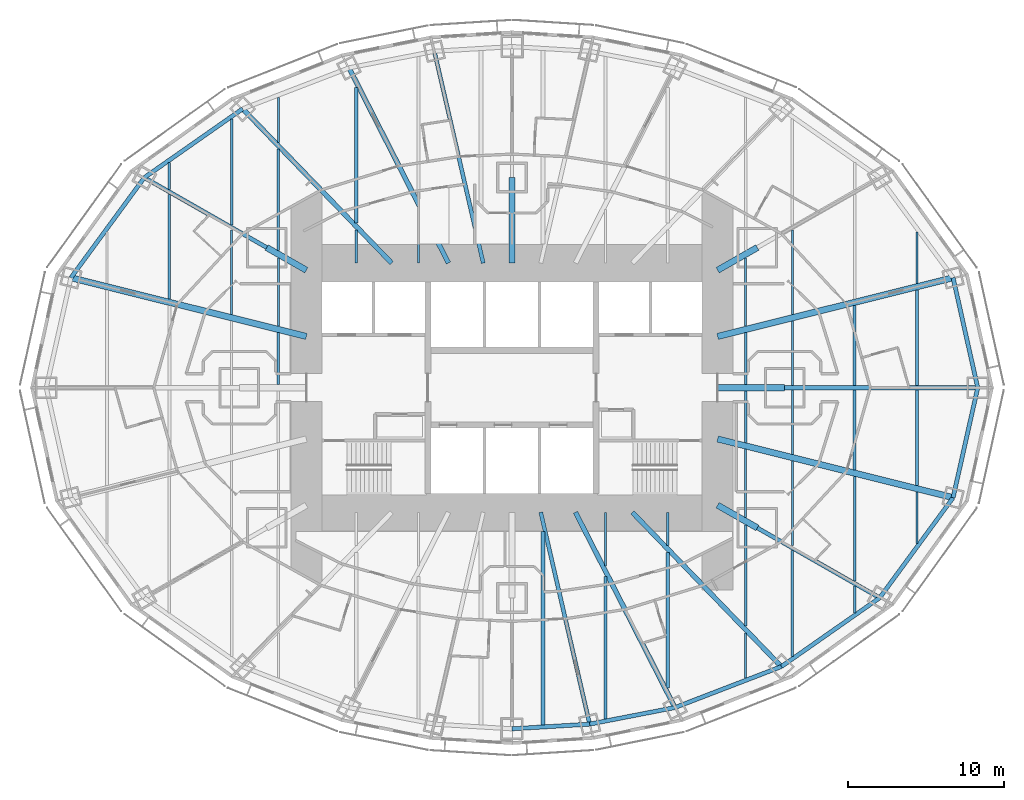
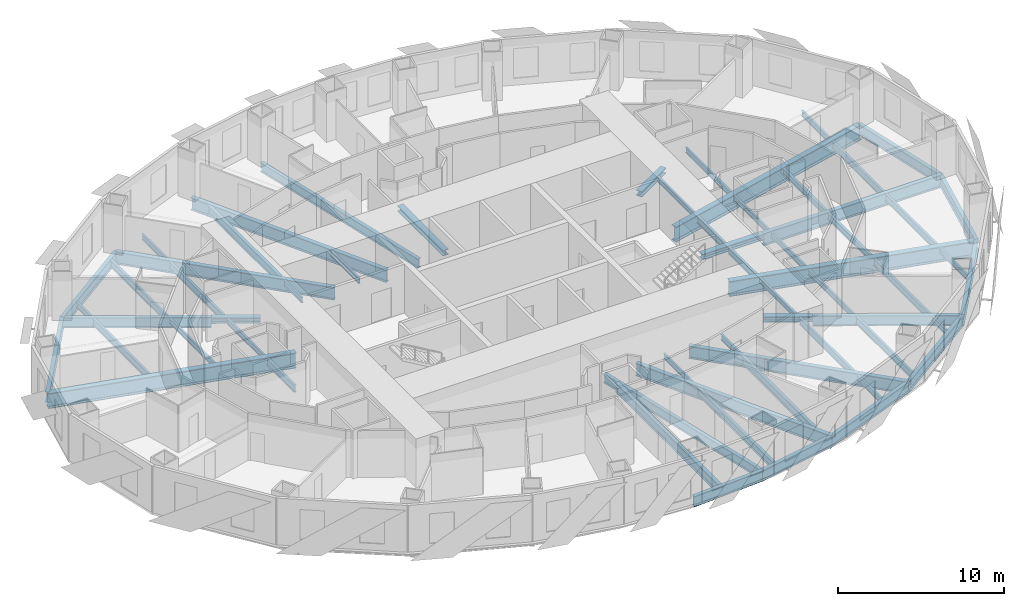
# One storey, part 2 of 15: 61 beams.
"""IFC4 building model written with IfcOpenShell, lengths in metres."""

from ifc_helpers import new_model, si_unit, direction, frame, origin, origin_2d, place, context, subcontext, project, spatial, i_section, extrude, material, material_profile, profile_set, type_object, element, save


model = new_model("IFC4")

# Units and contexts
model_context = context("Model", 3, precision=1e-05, world=origin(), true_north=direction((0.0, 1.0)))
body_context = subcontext(model_context, "Body", "Model", "MODEL_VIEW")
ifc_project = project(units=[si_unit("LENGTHUNIT", "METRE"), si_unit("AREAUNIT", "SQUARE_METRE"), si_unit("VOLUMEUNIT", "CUBIC_METRE"), si_unit("PLANEANGLEUNIT", "RADIAN"), si_unit("MASSUNIT", "GRAM", prefix="KILO")], contexts=[model_context])

# Site, building, storey
site_placement = place(None, origin())
site = spatial("IfcSite", under=ifc_project, at=site_placement, CompositionType="ELEMENT")
building_placement = place(site_placement, origin())
building = spatial("IfcBuilding", under=site, at=building_placement, Name="Lantaw Convention Tower", CompositionType="ELEMENT")
storey_placement = place(building_placement, frame((0.0, 0.0, 98.199951171875)))
storey = spatial("IfcBuildingStorey", under=building, at=storey_placement, Name="L23", CompositionType="ELEMENT", Elevation=98.199951171875)

# Beams
ifc_material = material(Name="Steel ASTM A992", Category="steel")
ifc_material_profile_1 = material_profile(ifc_material, i_section(OverallWidth=0.2666015625, OverallDepth=0.76953125, WebThickness=0.015625, FlangeThickness=0.025390625, FilletRadius=0.0126953125, at=origin_2d()), Name="W30X132")
ifc_profile_set_1 = profile_set([ifc_material_profile_1], Name="Steel ASTM A992")
beam_type_1 = type_object("IfcBeamType", Name="Beam E W30X132", PredefinedType="SPANDREL", material=ifc_profile_set_1)
beam_1_placement = place(storey_placement, frame((29.89990234375, 0.0, -0.53466796875), z_axis=(-0.218652184873, 0.975802860239, 0.0), x_axis=(-0.975802860239, -0.218652184873, 0.0)))
element("IfcBeam", 1, at=beam_1_placement, inside=storey, type_object=beam_type_1, Name="Edge beam 1", PredefinedType="SPANDREL", context=body_context, shape_type="SweptSolid", body=[
    extrude(i_section(OverallWidth=0.2666015625, OverallDepth=0.76953125, WebThickness=0.015625, FlangeThickness=0.025390625, FilletRadius=0.0126953125, at=origin_2d()), origin(), (0.0, 0.0, 1.0), 7.2353515625),
])
beam_2_placement = place(storey_placement, frame((-17.290771484375, 17.9052734375, -0.53466796875), z_axis=(-0.81942686407, -0.57318375277, 0.0), x_axis=(0.57318375277, -0.81942686407, 0.0)))
element("IfcBeam", 2, at=beam_2_placement, inside=storey, type_object=beam_type_1, Name="Edge beam 10", PredefinedType="SPANDREL", context=body_context, shape_type="SweptSolid", body=[
    extrude(i_section(OverallWidth=0.2666015625, OverallDepth=0.76953125, WebThickness=0.015625, FlangeThickness=0.025390625, FilletRadius=0.0126953125, at=origin_2d()), origin(), (0.0, 0.0, 1.0), 7.70556640625),
])
beam_3_placement = place(storey_placement, frame((-23.60498046875, 13.488525390625, -0.53466796875), z_axis=(-0.591270709086, -0.806473154281, 0.0), x_axis=(0.806473154281, -0.591270709086, 0.0)))
element("IfcBeam", 3, at=beam_3_placement, inside=storey, type_object=beam_type_1, Name="Edge beam 11", PredefinedType="SPANDREL", context=body_context, shape_type="SweptSolid", body=[
    extrude(i_section(OverallWidth=0.2666015625, OverallDepth=0.76953125, WebThickness=0.015625, FlangeThickness=0.025390625, FilletRadius=0.0126953125, at=origin_2d()), origin(), (0.0, 0.0, 1.0), 7.970703125),
])
beam_4_placement = place(storey_placement, frame((0.0, -21.89990234375, -0.53466796875), z_axis=(0.998173858406, 0.060406526096, 0.0), x_axis=(-0.060406526096, 0.998173858406, 0.0)))
element("IfcBeam", 4, at=beam_4_placement, inside=storey, type_object=beam_type_1, Name="Edge beam 19", PredefinedType="SPANDREL", context=body_context, shape_type="SweptSolid", body=[
    extrude(i_section(OverallWidth=0.2666015625, OverallDepth=0.76953125, WebThickness=0.015625, FlangeThickness=0.025390625, FilletRadius=0.0126953125, at=origin_2d()), origin(), (0.0, 0.0, 1.0), 4.995361328125),
])
beam_5_placement = place(storey_placement, frame((4.986328125, -21.59814453125, -0.53466796875), z_axis=(0.981636565323, 0.190760723474, 0.0), x_axis=(-0.190760723474, 0.981636565323, 0.0)))
element("IfcBeam", 5, at=beam_5_placement, inside=storey, type_object=beam_type_1, Name="Edge beam 20", PredefinedType="SPANDREL", context=body_context, shape_type="SweptSolid", body=[
    extrude(i_section(OverallWidth=0.2666015625, OverallDepth=0.76953125, WebThickness=0.015625, FlangeThickness=0.025390625, FilletRadius=0.0126953125, at=origin_2d()), origin(), (0.0, 0.0, 1.0), 5.578857421875),
])
beam_6_placement = place(storey_placement, frame((10.462646484375, -20.533935546875, -0.53466796875), z_axis=(0.933232900641, 0.359271976588, 0.0), x_axis=(-0.359271976588, 0.933232900641, 0.0)))
element("IfcBeam", 6, at=beam_6_placement, inside=storey, type_object=beam_type_1, Name="Edge beam 21", PredefinedType="SPANDREL", context=body_context, shape_type="SweptSolid", body=[
    extrude(i_section(OverallWidth=0.2666015625, OverallDepth=0.76953125, WebThickness=0.015625, FlangeThickness=0.025390625, FilletRadius=0.0126953125, at=origin_2d()), origin(), (0.0, 0.0, 1.0), 7.316650390625),
])
beam_7_placement = place(storey_placement, frame((17.290771484375, -17.9052734375, -0.53466796875), z_axis=(0.81942686407, 0.57318375277, 0.0), x_axis=(-0.57318375277, 0.81942686407, 0.0)))
element("IfcBeam", 7, at=beam_7_placement, inside=storey, type_object=beam_type_1, Name="Edge beam 22", PredefinedType="SPANDREL", context=body_context, shape_type="SweptSolid", body=[
    extrude(i_section(OverallWidth=0.2666015625, OverallDepth=0.76953125, WebThickness=0.015625, FlangeThickness=0.025390625, FilletRadius=0.0126953125, at=origin_2d()), origin(), (0.0, 0.0, 1.0), 7.70556640625),
])
beam_8_placement = place(storey_placement, frame((23.60498046875, -13.488525390625, -0.53466796875), z_axis=(0.591270709086, 0.806473154281, 0.0), x_axis=(-0.806473154281, 0.591270709086, 0.0)))
element("IfcBeam", 8, at=beam_8_placement, inside=storey, type_object=beam_type_1, Name="Edge beam 23", PredefinedType="SPANDREL", context=body_context, shape_type="SweptSolid", body=[
    extrude(i_section(OverallWidth=0.2666015625, OverallDepth=0.76953125, WebThickness=0.015625, FlangeThickness=0.025390625, FilletRadius=0.0126953125, at=origin_2d()), origin(), (0.0, 0.0, 1.0), 7.970703125),
])
beam_9_placement = place(storey_placement, frame((28.31787109375, -7.060302734375, -0.53466796875), z_axis=(0.218652184873, 0.975802860239, 0.0), x_axis=(-0.975802860239, 0.218652184873, 0.0)))
element("IfcBeam", 9, at=beam_9_placement, inside=storey, type_object=beam_type_1, Name="Edge beam 24", PredefinedType="SPANDREL", context=body_context, shape_type="SweptSolid", body=[
    extrude(i_section(OverallWidth=0.2666015625, OverallDepth=0.76953125, WebThickness=0.015625, FlangeThickness=0.025390625, FilletRadius=0.0126953125, at=origin_2d()), origin(), (0.0, 0.0, 1.0), 7.2353515625),
])
ifc_material_profile_2 = material_profile(ifc_material, i_section(OverallWidth=0.25390625, OverallDepth=0.683349609375, WebThickness=0.012451171875, FlangeThickness=0.01904296875, FilletRadius=0.01513671875, at=origin_2d()), Name="W27X94")
ifc_profile_set_2 = profile_set([ifc_material_profile_2], Name="Steel ASTM A992")
beam_type_2 = type_object("IfcBeamType", Name="Beam G W27X94", PredefinedType="BEAM", material=ifc_profile_set_2)
for number, where, z_axis, x_axis, name in (
    (10, (-1.846923828125, 8.0, -0.49169921875), (-0.224952773175, 0.97436966796, 0.0), (-0.97436966796, -0.224952773175, 0.0), "Floor girder on ray 8"),
    (11, (1.846923828125, -8.0, -0.49169921875), (0.224952773175, -0.97436966796, 0.0), (0.97436966796, 0.224952773175, 0.0), "Floor girder on ray 20"),
):
    element("IfcBeam", number, at=place(storey_placement, frame(where, z_axis=z_axis, x_axis=x_axis)), inside=storey, type_object=beam_type_2, Name=name, PredefinedType="BEAM", context=body_context, shape_type="SweptSolid", body=[
        extrude(i_section(OverallWidth=0.25390625, OverallDepth=0.683349609375, WebThickness=0.012451171875, FlangeThickness=0.01904296875, FilletRadius=0.01513671875, at=origin_2d()), origin(), (0.0, 0.0, 1.0), 13.955810546875),
    ])
ifc_material_profile_3 = material_profile(ifc_material, i_section(OverallWidth=0.2666015625, OverallDepth=0.7568359375, WebThickness=0.013916015625, FlangeThickness=0.019287109375, FilletRadius=0.0126953125, at=origin_2d()), Name="W30X108")
ifc_profile_set_3 = profile_set([ifc_material_profile_3], Name="Steel ASTM A992")
beam_type_3 = type_object("IfcBeamType", Name="Beam G W30X108", PredefinedType="BEAM", material=ifc_profile_set_3)
for number, where, z_axis, x_axis, name in (
    (12, (-15.75, 9.0, -0.5283203125), (-0.868244802791, 0.496136032179, 0.0), (-0.496136032179, -0.868244802791, 0.0), "Floor girder on ray 11"),
    (13, (15.75, -9.0, -0.5283203125), (0.868244802791, -0.496136032179, 0.0), (0.496136032179, 0.868244802791, 0.0), "Floor girder on ray 23"),
):
    element("IfcBeam", number, at=place(storey_placement, frame(where, z_axis=z_axis, x_axis=x_axis)), inside=storey, type_object=beam_type_3, Name=name, PredefinedType="BEAM", context=body_context, shape_type="SweptSolid", body=[
        extrude(i_section(OverallWidth=0.2666015625, OverallDepth=0.7568359375, WebThickness=0.013916015625, FlangeThickness=0.019287109375, FilletRadius=0.0126953125, at=origin_2d()), origin(), (0.0, 0.0, 1.0), 9.046875),
    ])
ifc_material_profile_4 = material_profile(ifc_material, i_section(OverallWidth=0.307373046875, OverallDepth=0.922119140625, WebThickness=0.018310546875, FlangeThickness=0.030029296875, FilletRadius=0.0126953125, at=origin_2d()), Name="W36X182")
ifc_profile_set_4 = profile_set([ifc_material_profile_4], Name="Steel ASTM A992")
beam_type_4 = type_object("IfcBeamType", Name="Beam G W36X182", PredefinedType="BEAM", material=ifc_profile_set_4)
beam_10_placement = place(storey_placement, frame((17.5, 0.0, -0.61083984375), z_axis=(1.0, 0.0, 0.0), x_axis=(0.0, 1.0, 0.0)))
element("IfcBeam", 14, at=beam_10_placement, inside=storey, type_object=beam_type_4, Name="Floor girder on ray 1", PredefinedType="BEAM", context=body_context, shape_type="SweptSolid", body=[
    extrude(i_section(OverallWidth=0.307373046875, OverallDepth=0.922119140625, WebThickness=0.018310546875, FlangeThickness=0.030029296875, FilletRadius=0.0126953125, at=origin_2d()), origin(), (0.0, 0.0, 1.0), 12.39990234375),
])
beam_11_placement = place(storey_placement, frame((-4.076171875, 8.0, -0.61083984375), z_axis=(-0.453997016122, 0.891003203896, 0.0), x_axis=(-0.891003203896, -0.453997016122, 0.0)))
element("IfcBeam", 15, at=beam_11_placement, inside=storey, type_object=beam_type_4, Name="Floor girder on ray 9", PredefinedType="BEAM", context=body_context, shape_type="SweptSolid", body=[
    extrude(i_section(OverallWidth=0.307373046875, OverallDepth=0.922119140625, WebThickness=0.018310546875, FlangeThickness=0.030029296875, FilletRadius=0.0126953125, at=origin_2d()), origin(), (0.0, 0.0, 1.0), 14.067138671875),
])
beam_12_placement = place(storey_placement, frame((-7.7255859375, 8.0, -0.61083984375), z_axis=(-0.694649884291, 0.719347995239, 0.0), x_axis=(-0.719347995239, -0.694649884291, 0.0)))
element("IfcBeam", 16, at=beam_12_placement, inside=storey, type_object=beam_type_4, Name="Floor girder on ray 10", PredefinedType="BEAM", context=body_context, shape_type="SweptSolid", body=[
    extrude(i_section(OverallWidth=0.307373046875, OverallDepth=0.922119140625, WebThickness=0.018310546875, FlangeThickness=0.030029296875, FilletRadius=0.0126953125, at=origin_2d()), origin(), (0.0, 0.0, 1.0), 13.769775390625),
])
beam_13_placement = place(storey_placement, frame((4.076171875, -8.0, -0.61083984375), z_axis=(0.453997016122, -0.891003203896, 0.0), x_axis=(0.891003203896, 0.453997016122, 0.0)))
element("IfcBeam", 17, at=beam_13_placement, inside=storey, type_object=beam_type_4, Name="Floor girder on ray 21", PredefinedType="BEAM", context=body_context, shape_type="SweptSolid", body=[
    extrude(i_section(OverallWidth=0.307373046875, OverallDepth=0.922119140625, WebThickness=0.018310546875, FlangeThickness=0.030029296875, FilletRadius=0.0126953125, at=origin_2d()), origin(), (0.0, 0.0, 1.0), 14.067138671875),
])
beam_14_placement = place(storey_placement, frame((7.7255859375, -8.0, -0.61083984375), z_axis=(0.694649884291, -0.719347995239, 0.0), x_axis=(0.719347995239, 0.694649884291, 0.0)))
element("IfcBeam", 18, at=beam_14_placement, inside=storey, type_object=beam_type_4, Name="Floor girder on ray 22", PredefinedType="BEAM", context=body_context, shape_type="SweptSolid", body=[
    extrude(i_section(OverallWidth=0.307373046875, OverallDepth=0.922119140625, WebThickness=0.018310546875, FlangeThickness=0.030029296875, FilletRadius=0.0126953125, at=origin_2d()), origin(), (0.0, 0.0, 1.0), 13.769775390625),
])
ifc_material_profile_5 = material_profile(ifc_material, i_section(OverallWidth=0.40380859375, OverallDepth=1.11767578125, WebThickness=0.026123046875, FlangeThickness=0.044921875, FilletRadius=0.02001953125, at=origin_2d()), Name="W44X335")
ifc_profile_set_5 = profile_set([ifc_material_profile_5], Name="Steel ASTM A992")
beam_type_5 = type_object("IfcBeamType", Name="Beam G W44X335", PredefinedType="BEAM", material=ifc_profile_set_5)
for number, where, z_axis, x_axis, name in (
    (19, (13.199951171875, 3.291015625, -0.708740234375), (0.970296233567, 0.241919860957, 0.0), (-0.241919860957, 0.970296233567, 0.0), "Floor girder on ray 2"),
    (20, (-13.199951171875, 3.291015625, -0.708740234375), (-0.970296233567, 0.241919860957, 0.0), (-0.241919860957, -0.970296233567, 0.0), "Floor girder on ray 12"),
    (21, (13.199951171875, -3.291015625, -0.708740234375), (0.970296233567, -0.241919860957, 0.0), (0.241919860957, 0.970296233567, 0.0), "Floor girder on ray 24"),
):
    element("IfcBeam", number, at=place(storey_placement, frame(where, z_axis=z_axis, x_axis=x_axis)), inside=storey, type_object=beam_type_5, Name=name, PredefinedType="BEAM", context=body_context, shape_type="SweptSolid", body=[
        extrude(i_section(OverallWidth=0.40380859375, OverallDepth=1.11767578125, WebThickness=0.026123046875, FlangeThickness=0.044921875, FilletRadius=0.02001953125, at=origin_2d()), origin(), (0.0, 0.0, 1.0), 15.580810546875),
    ])
ifc_material_profile_6 = material_profile(ifc_material, i_section(OverallWidth=0.40380859375, OverallDepth=0.406494140625, WebThickness=0.027099609375, FlangeThickness=0.043701171875, FilletRadius=0.01513671875, at=origin_2d()), Name="W14X233")
ifc_profile_set_6 = profile_set([ifc_material_profile_6], Name="Steel ASTM A992")
beam_type_6 = type_object("IfcBeamType", Name="Beam GM W14X233", PredefinedType="BEAM", material=ifc_profile_set_6)
beam_15_placement = place(storey_placement, frame((13.199951171875, 0.0, -0.353271484375), z_axis=(1.0, 0.0, 0.0), x_axis=(0.0, 1.0, 0.0)))
element("IfcBeam", 22, at=beam_15_placement, inside=storey, type_object=beam_type_6, Name="Core link beam on ray 1", PredefinedType="BEAM", context=body_context, shape_type="SweptSolid", body=[
    extrude(i_section(OverallWidth=0.40380859375, OverallDepth=0.406494140625, WebThickness=0.027099609375, FlangeThickness=0.043701171875, FilletRadius=0.01513671875, at=origin_2d()), origin(), (0.0, 0.0, 1.0), 4.300048828125),
])
beam_16_placement = place(storey_placement, frame((13.199951171875, 7.54296875, -0.353271484375), z_axis=(0.868263603466, 0.496103129295, 0.0), x_axis=(-0.496103129295, 0.868263603466, 0.0)))
element("IfcBeam", 23, at=beam_16_placement, inside=storey, type_object=beam_type_6, Name="Core link beam on ray 3", PredefinedType="BEAM", context=body_context, shape_type="SweptSolid", body=[
    extrude(i_section(OverallWidth=0.40380859375, OverallDepth=0.406494140625, WebThickness=0.027099609375, FlangeThickness=0.043701171875, FilletRadius=0.01513671875, at=origin_2d()), origin(), (0.0, 0.0, 1.0), 2.93701171875),
])
beam_17_placement = place(storey_placement, frame((0.0, 8.0, -0.353271484375), z_axis=(0.0, 1.0, 0.0), x_axis=(-1.0, 0.0, 0.0)))
element("IfcBeam", 24, at=beam_17_placement, inside=storey, type_object=beam_type_6, Name="Core link beam on ray 7", PredefinedType="BEAM", context=body_context, shape_type="SweptSolid", body=[
    extrude(i_section(OverallWidth=0.40380859375, OverallDepth=0.406494140625, WebThickness=0.027099609375, FlangeThickness=0.043701171875, FilletRadius=0.01513671875, at=origin_2d()), origin(), (0.0, 0.0, 1.0), 5.5),
])
for number, where, z_axis, x_axis, name in (
    (25, (-13.199951171875, 7.54296875, -0.353271484375), (-0.868263603466, 0.496103129295, 0.0), (-0.496103129295, -0.868263603466, 0.0), "Core link beam on ray 11"),
    (26, (13.199951171875, -7.54296875, -0.353271484375), (0.868263603466, -0.496103129295, 0.0), (0.496103129295, 0.868263603466, 0.0), "Core link beam on ray 23"),
):
    element("IfcBeam", number, at=place(storey_placement, frame(where, z_axis=z_axis, x_axis=x_axis)), inside=storey, type_object=beam_type_6, Name=name, PredefinedType="BEAM", context=body_context, shape_type="SweptSolid", body=[
        extrude(i_section(OverallWidth=0.40380859375, OverallDepth=0.406494140625, WebThickness=0.027099609375, FlangeThickness=0.043701171875, FilletRadius=0.01513671875, at=origin_2d()), origin(), (0.0, 0.0, 1.0), 2.93701171875),
    ])
ifc_material_profile_7 = material_profile(ifc_material, i_section(OverallWidth=0.140380859375, OverallDepth=0.40380859375, WebThickness=0.007080078125, FlangeThickness=0.01123046875, FilletRadius=0.01025390625, at=origin_2d()), Name="W16X31")
ifc_profile_set_7 = profile_set([ifc_material_profile_7], Name="Steel ASTM A992")
beam_type_7 = type_object("IfcBeamType", Name="Beam J W16X31", PredefinedType="JOIST", material=ifc_profile_set_7)
beam_18_placement = place(storey_placement, frame((-22.0, 12.72509765625, -0.351806640625), z_axis=(0.0, 1.0, 0.0), x_axis=(-1.0, 0.0, 0.0)))
element("IfcBeam", 27, at=beam_18_placement, inside=storey, type_object=beam_type_7, Name="Floor joist", PredefinedType="JOIST", context=body_context, shape_type="SweptSolid", body=[
    extrude(i_section(OverallWidth=0.140380859375, OverallDepth=0.40380859375, WebThickness=0.007080078125, FlangeThickness=0.01123046875, FilletRadius=0.01025390625, at=origin_2d()), origin(), (0.0, 0.0, 1.0), 1.723388671875),
])
beam_19_placement = place(storey_placement, frame((-18.0, 4.696044921875, -0.351806640625), z_axis=(0.0, 1.0, 0.0), x_axis=(-1.0, 0.0, 0.0)))
element("IfcBeam", 28, at=beam_19_placement, inside=storey, type_object=beam_type_7, Name="Floor joist", PredefinedType="JOIST", context=body_context, shape_type="SweptSolid", body=[
    extrude(i_section(OverallWidth=0.140380859375, OverallDepth=0.40380859375, WebThickness=0.007080078125, FlangeThickness=0.01123046875, FilletRadius=0.01025390625, at=origin_2d()), origin(), (0.0, 0.0, 1.0), 5.43603515625),
])
beam_20_placement = place(storey_placement, frame((-15.0, 3.947998046875, -0.351806640625), z_axis=(0.0, 1.0, 0.0), x_axis=(-1.0, 0.0, 0.0)))
element("IfcBeam", 29, at=beam_20_placement, inside=storey, type_object=beam_type_7, Name="Floor joist", PredefinedType="JOIST", context=body_context, shape_type="SweptSolid", body=[
    extrude(i_section(OverallWidth=0.140380859375, OverallDepth=0.40380859375, WebThickness=0.007080078125, FlangeThickness=0.01123046875, FilletRadius=0.01025390625, at=origin_2d()), origin(), (0.0, 0.0, 1.0), 4.390869140625),
])
beam_21_placement = place(storey_placement, frame((-15.0, 15.754150390625, -0.351806640625), z_axis=(0.0, 1.0, 0.0), x_axis=(-1.0, 0.0, 0.0)))
element("IfcBeam", 30, at=beam_21_placement, inside=storey, type_object=beam_type_7, Name="Floor joist", PredefinedType="JOIST", context=body_context, shape_type="SweptSolid", body=[
    extrude(i_section(OverallWidth=0.140380859375, OverallDepth=0.40380859375, WebThickness=0.007080078125, FlangeThickness=0.01123046875, FilletRadius=0.01025390625, at=origin_2d()), origin(), (0.0, 0.0, 1.0), 2.89013671875),
])
beam_22_placement = place(storey_placement, frame((-10.0, 8.0, -0.351806640625), z_axis=(0.0, 1.0, 0.0), x_axis=(-1.0, 0.0, 0.0)))
element("IfcBeam", 31, at=beam_22_placement, inside=storey, type_object=beam_type_7, Name="Floor joist", PredefinedType="JOIST", context=body_context, shape_type="SweptSolid", body=[
    extrude(i_section(OverallWidth=0.140380859375, OverallDepth=0.40380859375, WebThickness=0.007080078125, FlangeThickness=0.01123046875, FilletRadius=0.01025390625, at=origin_2d()), origin(), (0.0, 0.0, 1.0), 2.134033203125),
])
for number, where, z_axis, x_axis, name in (
    (32, (-6.0, 8.0, -0.351806640625), (0.0, 1.0, 0.0), (-1.0, 0.0, 0.0), "Floor joist"),
    (33, (6.0, -11.437255859375, -0.351806640625), (0.0, 1.0, 0.0), (-1.0, 0.0, 0.0), "Floor joist"),
):
    element("IfcBeam", number, at=place(storey_placement, frame(where, z_axis=z_axis, x_axis=x_axis)), inside=storey, type_object=beam_type_7, Name=name, PredefinedType="JOIST", context=body_context, shape_type="SweptSolid", body=[
        extrude(i_section(OverallWidth=0.140380859375, OverallDepth=0.40380859375, WebThickness=0.007080078125, FlangeThickness=0.01123046875, FilletRadius=0.01025390625, at=origin_2d()), origin(), (0.0, 0.0, 1.0), 3.437255859375),
    ])
beam_23_placement = place(storey_placement, frame((10.0, -10.134033203125, -0.351806640625), z_axis=(0.0, 1.0, 0.0), x_axis=(-1.0, 0.0, 0.0)))
element("IfcBeam", 34, at=beam_23_placement, inside=storey, type_object=beam_type_7, Name="Floor joist", PredefinedType="JOIST", context=body_context, shape_type="SweptSolid", body=[
    extrude(i_section(OverallWidth=0.140380859375, OverallDepth=0.40380859375, WebThickness=0.007080078125, FlangeThickness=0.01123046875, FilletRadius=0.01025390625, at=origin_2d()), origin(), (0.0, 0.0, 1.0), 2.134033203125),
])
beam_24_placement = place(storey_placement, frame((15.0, -18.644287109375, -0.351806640625), z_axis=(0.0, 1.0, 0.0), x_axis=(-1.0, 0.0, 0.0)))
element("IfcBeam", 35, at=beam_24_placement, inside=storey, type_object=beam_type_7, Name="Floor joist", PredefinedType="JOIST", context=body_context, shape_type="SweptSolid", body=[
    extrude(i_section(OverallWidth=0.140380859375, OverallDepth=0.40380859375, WebThickness=0.007080078125, FlangeThickness=0.01123046875, FilletRadius=0.01025390625, at=origin_2d()), origin(), (0.0, 0.0, 1.0), 2.89013671875),
])
for number, where, z_axis, x_axis, name in (
    (36, (15.0, -8.3388671875, -0.351806640625), (0.0, 1.0, 0.0), (-1.0, 0.0, 0.0), "Floor joist"),
    (37, (15.0, 3.947998046875, -0.351806640625), (0.0, 1.0, 0.0), (-1.0, 0.0, 0.0), "Floor joist"),
):
    element("IfcBeam", number, at=place(storey_placement, frame(where, z_axis=z_axis, x_axis=x_axis)), inside=storey, type_object=beam_type_7, Name=name, PredefinedType="JOIST", context=body_context, shape_type="SweptSolid", body=[
        extrude(i_section(OverallWidth=0.140380859375, OverallDepth=0.40380859375, WebThickness=0.007080078125, FlangeThickness=0.01123046875, FilletRadius=0.01025390625, at=origin_2d()), origin(), (0.0, 0.0, 1.0), 4.390869140625),
    ])
beam_25_placement = place(storey_placement, frame((18.0, -10.132080078125, -0.351806640625), z_axis=(0.0, 1.0, 0.0), x_axis=(-1.0, 0.0, 0.0)))
element("IfcBeam", 38, at=beam_25_placement, inside=storey, type_object=beam_type_7, Name="Floor joist", PredefinedType="JOIST", context=body_context, shape_type="SweptSolid", body=[
    extrude(i_section(OverallWidth=0.140380859375, OverallDepth=0.40380859375, WebThickness=0.007080078125, FlangeThickness=0.01123046875, FilletRadius=0.01025390625, at=origin_2d()), origin(), (0.0, 0.0, 1.0), 5.43603515625),
])
for number, where, z_axis, x_axis, name in (
    (39, (18.0, -4.27978515625, -0.351806640625), (0.0, 1.0, 0.0), (-1.0, 0.0, 0.0), "Floor joist"),
    (40, (18.0, 0.153564453125, -0.351806640625), (0.0, 1.0, 0.0), (-1.0, 0.0, 0.0), "Floor joist"),
):
    element("IfcBeam", number, at=place(storey_placement, frame(where, z_axis=z_axis, x_axis=x_axis)), inside=storey, type_object=beam_type_7, Name=name, PredefinedType="JOIST", context=body_context, shape_type="SweptSolid", body=[
        extrude(i_section(OverallWidth=0.140380859375, OverallDepth=0.40380859375, WebThickness=0.007080078125, FlangeThickness=0.01123046875, FilletRadius=0.01025390625, at=origin_2d()), origin(), (0.0, 0.0, 1.0), 4.126220703125),
    ])
beam_26_placement = place(storey_placement, frame((18.0, 4.696044921875, -0.351806640625), z_axis=(0.0, 1.0, 0.0), x_axis=(-1.0, 0.0, 0.0)))
element("IfcBeam", 41, at=beam_26_placement, inside=storey, type_object=beam_type_7, Name="Floor joist", PredefinedType="JOIST", context=body_context, shape_type="SweptSolid", body=[
    extrude(i_section(OverallWidth=0.140380859375, OverallDepth=0.40380859375, WebThickness=0.007080078125, FlangeThickness=0.01123046875, FilletRadius=0.01025390625, at=origin_2d()), origin(), (0.0, 0.0, 1.0), 5.43603515625),
])
beam_27_placement = place(storey_placement, frame((22.0, -14.448486328125, -0.351806640625), z_axis=(0.0, 1.0, 0.0), x_axis=(-1.0, 0.0, 0.0)))
element("IfcBeam", 42, at=beam_27_placement, inside=storey, type_object=beam_type_7, Name="Floor joist", PredefinedType="JOIST", context=body_context, shape_type="SweptSolid", body=[
    extrude(i_section(OverallWidth=0.140380859375, OverallDepth=0.40380859375, WebThickness=0.007080078125, FlangeThickness=0.01123046875, FilletRadius=0.01025390625, at=origin_2d()), origin(), (0.0, 0.0, 1.0), 1.723388671875),
])
for number, where, z_axis, x_axis, name in (
    (43, (26.0, -9.996337890625, -0.351806640625), (0.0, 1.0, 0.0), (-1.0, 0.0, 0.0), "Floor joist"),
    (44, (26.0, 6.690673828125, -0.351806640625), (0.0, 1.0, 0.0), (-1.0, 0.0, 0.0), "Floor joist"),
):
    element("IfcBeam", number, at=place(storey_placement, frame(where, z_axis=z_axis, x_axis=x_axis)), inside=storey, type_object=beam_type_7, Name=name, PredefinedType="JOIST", context=body_context, shape_type="SweptSolid", body=[
        extrude(i_section(OverallWidth=0.140380859375, OverallDepth=0.40380859375, WebThickness=0.007080078125, FlangeThickness=0.01123046875, FilletRadius=0.01025390625, at=origin_2d()), origin(), (0.0, 0.0, 1.0), 3.3056640625),
    ])
ifc_material_profile_8 = material_profile(ifc_material, i_section(OverallWidth=0.1904296875, OverallDepth=0.457275390625, WebThickness=0.009033203125, FlangeThickness=0.014404296875, FilletRadius=0.01025390625, at=origin_2d()), Name="W18X50")
ifc_profile_set_8 = profile_set([ifc_material_profile_8], Name="Steel ASTM A992")
beam_type_8 = type_object("IfcBeamType", Name="Beam J W18X50", PredefinedType="JOIST", material=ifc_profile_set_8)
for number, where, z_axis, x_axis, name in (
    (45, (22.0, -5.277099609375, -0.378662109375), (0.0, 1.0, 0.0), (-1.0, 0.0, 0.0), "Floor joist"),
    (46, (22.0, 0.153564453125, -0.378662109375), (0.0, 1.0, 0.0), (-1.0, 0.0, 0.0), "Floor joist"),
):
    element("IfcBeam", number, at=place(storey_placement, frame(where, z_axis=z_axis, x_axis=x_axis)), inside=storey, type_object=beam_type_8, Name=name, PredefinedType="JOIST", context=body_context, shape_type="SweptSolid", body=[
        extrude(i_section(OverallWidth=0.1904296875, OverallDepth=0.457275390625, WebThickness=0.009033203125, FlangeThickness=0.014404296875, FilletRadius=0.01025390625, at=origin_2d()), origin(), (0.0, 0.0, 1.0), 5.12353515625),
    ])
ifc_material_profile_9 = material_profile(ifc_material, i_section(OverallWidth=0.1650390625, OverallDepth=0.52587890625, WebThickness=0.0087890625, FlangeThickness=0.011474609375, FilletRadius=0.0126953125, at=origin_2d()), Name="W21X44")
ifc_profile_set_9 = profile_set([ifc_material_profile_9], Name="Steel ASTM A992")
beam_type_9 = type_object("IfcBeamType", Name="Beam J W21X44", PredefinedType="JOIST", material=ifc_profile_set_9)
beam_28_placement = place(storey_placement, frame((-22.0, 5.693359375, -0.412841796875), z_axis=(0.0, 1.0, 0.0), x_axis=(-1.0, 0.0, 0.0)))
element("IfcBeam", 47, at=beam_28_placement, inside=storey, type_object=beam_type_9, Name="Floor joist", PredefinedType="JOIST", context=body_context, shape_type="SweptSolid", body=[
    extrude(i_section(OverallWidth=0.1650390625, OverallDepth=0.52587890625, WebThickness=0.0087890625, FlangeThickness=0.011474609375, FilletRadius=0.0126953125, at=origin_2d()), origin(), (0.0, 0.0, 1.0), 6.724609375),
])
beam_29_placement = place(storey_placement, frame((-18.0, 10.439208984375, -0.412841796875), z_axis=(0.0, 1.0, 0.0), x_axis=(-1.0, 0.0, 0.0)))
element("IfcBeam", 48, at=beam_29_placement, inside=storey, type_object=beam_type_9, Name="Floor joist", PredefinedType="JOIST", context=body_context, shape_type="SweptSolid", body=[
    extrude(i_section(OverallWidth=0.1650390625, OverallDepth=0.52587890625, WebThickness=0.0087890625, FlangeThickness=0.011474609375, FilletRadius=0.0126953125, at=origin_2d()), origin(), (0.0, 0.0, 1.0), 6.80712890625),
])
for number, where, z_axis, x_axis, name in (
    (49, (-15.0, 8.803955078125, -0.412841796875), (0.0, 1.0, 0.0), (-1.0, 0.0, 0.0), "Floor joist"),
    (50, (15.0, -15.311767578125, -0.412841796875), (0.0, 1.0, 0.0), (-1.0, 0.0, 0.0), "Floor joist"),
):
    element("IfcBeam", number, at=place(storey_placement, frame(where, z_axis=z_axis, x_axis=x_axis)), inside=storey, type_object=beam_type_9, Name=name, PredefinedType="JOIST", context=body_context, shape_type="SweptSolid", body=[
        extrude(i_section(OverallWidth=0.1650390625, OverallDepth=0.52587890625, WebThickness=0.0087890625, FlangeThickness=0.011474609375, FilletRadius=0.0126953125, at=origin_2d()), origin(), (0.0, 0.0, 1.0), 6.5078125),
    ])
beam_30_placement = place(storey_placement, frame((18.0, -17.246337890625, -0.412841796875), z_axis=(0.0, 1.0, 0.0), x_axis=(-1.0, 0.0, 0.0)))
element("IfcBeam", 51, at=beam_30_placement, inside=storey, type_object=beam_type_9, Name="Floor joist", PredefinedType="JOIST", context=body_context, shape_type="SweptSolid", body=[
    extrude(i_section(OverallWidth=0.1650390625, OverallDepth=0.52587890625, WebThickness=0.0087890625, FlangeThickness=0.011474609375, FilletRadius=0.0126953125, at=origin_2d()), origin(), (0.0, 0.0, 1.0), 6.80712890625),
])
beam_31_placement = place(storey_placement, frame((22.0, -12.41796875, -0.412841796875), z_axis=(0.0, 1.0, 0.0), x_axis=(-1.0, 0.0, 0.0)))
element("IfcBeam", 52, at=beam_31_placement, inside=storey, type_object=beam_type_9, Name="Floor joist", PredefinedType="JOIST", context=body_context, shape_type="SweptSolid", body=[
    extrude(i_section(OverallWidth=0.1650390625, OverallDepth=0.52587890625, WebThickness=0.0087890625, FlangeThickness=0.011474609375, FilletRadius=0.0126953125, at=origin_2d()), origin(), (0.0, 0.0, 1.0), 6.724609375),
])
ifc_material_profile_10 = material_profile(ifc_material, i_section(OverallWidth=0.165771484375, OverallDepth=0.5283203125, WebThickness=0.009765625, FlangeThickness=0.013671875, FilletRadius=0.012939453125, at=origin_2d()), Name="W21X50")
ifc_profile_set_10 = profile_set([ifc_material_profile_10], Name="Steel ASTM A992")
beam_type_10 = type_object("IfcBeamType", Name="Beam J W21X50", PredefinedType="JOIST", material=ifc_profile_set_10)
for number, where, z_axis, x_axis, name in (
    (53, (-15.0, 0.201904296875, -0.4140625), (0.0, 1.0, 0.0), (-1.0, 0.0, 0.0), "Floor joist"),
    (54, (15.0, -3.53173828125, -0.4140625), (0.0, 1.0, 0.0), (-1.0, 0.0, 0.0), "Floor joist"),
    (55, (15.0, 0.201904296875, -0.4140625), (0.0, 1.0, 0.0), (-1.0, 0.0, 0.0), "Floor joist"),
):
    element("IfcBeam", number, at=place(storey_placement, frame(where, z_axis=z_axis, x_axis=x_axis)), inside=storey, type_object=beam_type_10, Name=name, PredefinedType="JOIST", context=body_context, shape_type="SweptSolid", body=[
        extrude(i_section(OverallWidth=0.165771484375, OverallDepth=0.5283203125, WebThickness=0.009765625, FlangeThickness=0.013671875, FilletRadius=0.012939453125, at=origin_2d()), origin(), (0.0, 0.0, 1.0), 3.329833984375),
    ])
for number, where, z_axis, x_axis, name in (
    (56, (26.0, -6.2744140625, -0.4140625), (0.0, 1.0, 0.0), (-1.0, 0.0, 0.0), "Floor joist"),
    (57, (26.0, 0.153564453125, -0.4140625), (0.0, 1.0, 0.0), (-1.0, 0.0, 0.0), "Floor joist"),
):
    element("IfcBeam", number, at=place(storey_placement, frame(where, z_axis=z_axis, x_axis=x_axis)), inside=storey, type_object=beam_type_10, Name=name, PredefinedType="JOIST", context=body_context, shape_type="SweptSolid", body=[
        extrude(i_section(OverallWidth=0.165771484375, OverallDepth=0.5283203125, WebThickness=0.009765625, FlangeThickness=0.013671875, FilletRadius=0.012939453125, at=origin_2d()), origin(), (0.0, 0.0, 1.0), 6.120849609375),
    ])
ifc_material_profile_11 = material_profile(ifc_material, i_section(OverallWidth=0.2099609375, OverallDepth=0.535888671875, WebThickness=0.010986328125, FlangeThickness=0.017333984375, FilletRadius=0.012939453125, at=origin_2d()), Name="W21X68")
ifc_profile_set_11 = profile_set([ifc_material_profile_11], Name="Steel ASTM A992")
beam_type_11 = type_object("IfcBeamType", Name="Beam J W21X68", PredefinedType="JOIST", material=ifc_profile_set_11)
beam_32_placement = place(storey_placement, frame((6.0, -21.26513671875, -0.41796875), z_axis=(0.0, 1.0, 0.0), x_axis=(-1.0, 0.0, 0.0)))
element("IfcBeam", 58, at=beam_32_placement, inside=storey, type_object=beam_type_11, Name="Floor joist", PredefinedType="JOIST", context=body_context, shape_type="SweptSolid", body=[
    extrude(i_section(OverallWidth=0.2099609375, OverallDepth=0.535888671875, WebThickness=0.010986328125, FlangeThickness=0.017333984375, FilletRadius=0.012939453125, at=origin_2d()), origin(), (0.0, 0.0, 1.0), 9.15087890625),
])
ifc_material_profile_12 = material_profile(ifc_material, i_section(OverallWidth=0.227783203125, OverallDepth=0.60205078125, WebThickness=0.010498046875, FlangeThickness=0.014892578125, FilletRadius=0.012939453125, at=origin_2d()), Name="W24X68")
ifc_profile_set_12 = profile_set([ifc_material_profile_12], Name="Steel ASTM A992")
beam_type_12 = type_object("IfcBeamType", Name="Beam J W24X68", PredefinedType="JOIST", material=ifc_profile_set_12)
for number, where, z_axis, x_axis, name in (
    (59, (-10.0, 10.576416015625, -0.450927734375), (0.0, 1.0, 0.0), (-1.0, 0.0, 0.0), "Floor joist"),
    (60, (10.0, -19.28759765625, -0.450927734375), (0.0, 1.0, 0.0), (-1.0, 0.0, 0.0), "Floor joist"),
):
    element("IfcBeam", number, at=place(storey_placement, frame(where, z_axis=z_axis, x_axis=x_axis)), inside=storey, type_object=beam_type_12, Name=name, PredefinedType="JOIST", context=body_context, shape_type="SweptSolid", body=[
        extrude(i_section(OverallWidth=0.227783203125, OverallDepth=0.60205078125, WebThickness=0.010498046875, FlangeThickness=0.014892578125, FilletRadius=0.012939453125, at=origin_2d()), origin(), (0.0, 0.0, 1.0), 8.711181640625),
    ])
ifc_material_profile_13 = material_profile(ifc_material, i_section(OverallWidth=0.25390625, OverallDepth=0.700927734375, WebThickness=0.015380859375, FlangeThickness=0.02783203125, FilletRadius=0.01513671875, at=origin_2d()), Name="W27X129")
ifc_profile_set_13 = profile_set([ifc_material_profile_13], Name="Steel ASTM A992")
beam_type_13 = type_object("IfcBeamType", Name="Beam J W27X129", PredefinedType="JOIST", material=ifc_profile_set_13)
beam_33_placement = place(storey_placement, frame((2.0, -21.645263671875, -0.50048828125), z_axis=(0.0, 1.0, 0.0), x_axis=(-1.0, 0.0, 0.0)))
element("IfcBeam", 61, at=beam_33_placement, inside=storey, type_object=beam_type_13, Name="Floor joist", PredefinedType="JOIST", context=body_context, shape_type="SweptSolid", body=[
    extrude(i_section(OverallWidth=0.25390625, OverallDepth=0.700927734375, WebThickness=0.015380859375, FlangeThickness=0.02783203125, FilletRadius=0.01513671875, at=origin_2d()), origin(), (0.0, 0.0, 1.0), 12.417724609375),
])

save(model, "model.ifc")
